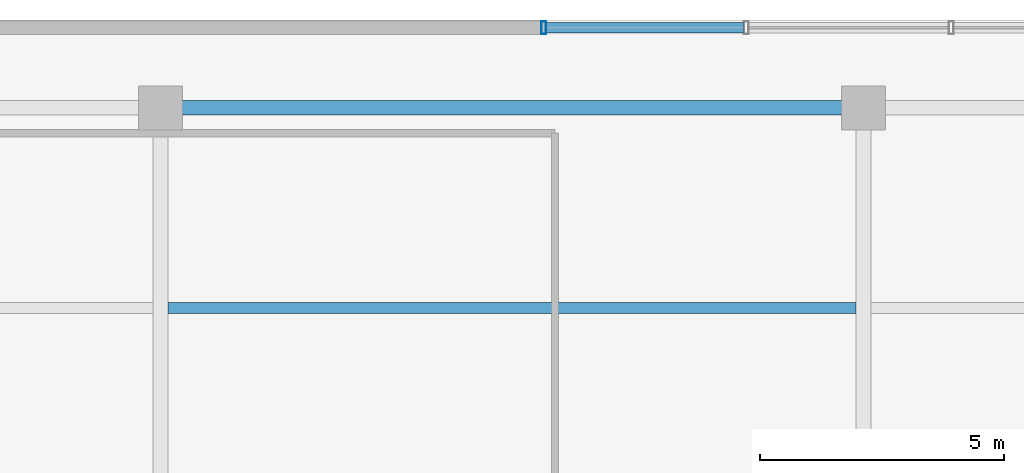
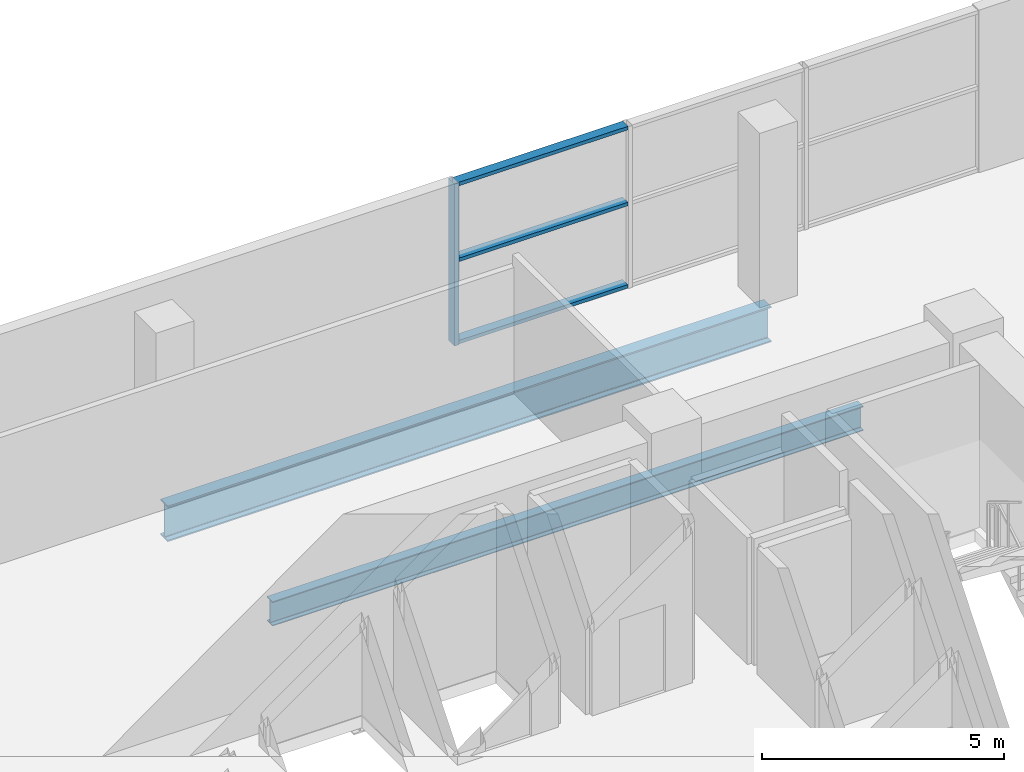
# One storey, part 9 of 23: 4 members, 2 beams, 1 element without a shape of its own.
"""IFC4 building model written with IfcOpenShell, lengths in metres."""

from ifc_helpers import new_model, si_unit, direction, frame, origin, origin_2d, place, context, subcontext, project, spatial, hollow_rectangle, i_section, extrude, source, transform, mapped, material, layer, layer_set, material_profile, profile_set, type_object, element, aggregate, save


model = new_model("IFC4")

# Units and contexts
model_context = context("Model", 3, precision=1e-05, world=origin(), true_north=direction((0.0, 1.0)))
body_context = subcontext(model_context, "Body", "Model", "MODEL_VIEW")
ifc_project = project(units=[si_unit("LENGTHUNIT", "METRE"), si_unit("AREAUNIT", "SQUARE_METRE"), si_unit("VOLUMEUNIT", "CUBIC_METRE"), si_unit("PLANEANGLEUNIT", "RADIAN"), si_unit("MASSUNIT", "GRAM", prefix="KILO")], contexts=[model_context])

# Site, building, storey
site_placement = place(None, origin())
site = spatial("IfcSite", under=ifc_project, at=site_placement, CompositionType="ELEMENT")
building_placement = place(site_placement, origin())
building = spatial("IfcBuilding", under=site, at=building_placement, Name="Zarnakvel Exchange Tower", CompositionType="ELEMENT")
storey_placement = place(building_placement, frame((0.0, 0.0, 13.800048828125)))
storey = spatial("IfcBuildingStorey", under=building, at=storey_placement, Name="L03", CompositionType="ELEMENT", Elevation=13.800048828125)

# Beams
ifc_material_1 = material(Name="Steel S355", Category="steel")
ifc_material_profile_1 = material_profile(ifc_material_1, i_section(OverallWidth=0.230224609375, OverallDepth=0.6171875, WebThickness=0.01318359375, FlangeThickness=0.022216796875, FilletRadius=0.0126953125, at=origin_2d()))
ifc_profile_set_1 = profile_set([ifc_material_profile_1], Name="Steel S355")
beam_type_1 = type_object("IfcBeamType", Name="B-02", PredefinedType="JOIST", material=ifc_profile_set_1)
beam_1_placement = place(storey_placement, frame((0.14990234375, 17.5, -0.608642578125), z_axis=(1.0, 0.0, 0.0), x_axis=(0.0, 1.0, 0.0)))
element("IfcBeam", 1, at=beam_1_placement, inside=storey, type_object=beam_type_1, Name="L03 North Bay Secondary Floor Joist", PredefinedType="JOIST", context=body_context, shape_type="SweptSolid", body=[
    extrude(i_section(OverallWidth=0.230224609375, OverallDepth=0.6171875, WebThickness=0.01318359375, FlangeThickness=0.022216796875, FilletRadius=0.0126953125, at=origin_2d()), origin(), (0.0, 0.0, 1.0), 14.10009765625),
])
ifc_material_profile_2 = material_profile(ifc_material_1, i_section(OverallWidth=0.300048828125, OverallDepth=0.89990234375, WebThickness=0.0185546875, FlangeThickness=0.034912109375, FilletRadius=0.030029296875, at=origin_2d()))
ifc_profile_set_2 = profile_set([ifc_material_profile_2], Name="Steel S355")
beam_type_2 = type_object("IfcBeamType", Name="G-01", PredefinedType="BEAM", material=ifc_profile_set_2)
beam_2_placement = place(storey_placement, frame((0.0, 21.60009765625, -0.75), z_axis=(1.0, 0.0, 0.0), x_axis=(0.0, 1.0, 0.0)))
element("IfcBeam", 2, at=beam_2_placement, inside=storey, type_object=beam_type_2, Name="L03 Primary E-W Girder Y=+21.6", PredefinedType="BEAM", context=body_context, shape_type="SweptSolid", body=[
    extrude(i_section(OverallWidth=0.300048828125, OverallDepth=0.89990234375, WebThickness=0.0185546875, FlangeThickness=0.034912109375, FilletRadius=0.030029296875, at=origin_2d()), origin(), (0.0, 0.0, 1.0), 14.39990234375),
])

# Curtain wall, members
ifc_material_2 = material(Name="Architectural Bronze Anodised Aluminium", Category="aluminium")
ifc_layer = layer(ifc_material_2, 0.260009765625)
ifc_layer_set = layer_set([ifc_layer], Name="Architectural Bronze Anodised Aluminium")
curtain_wall_type = type_object("IfcCurtainWallType", Name="CW-01", PredefinedType="NOTDEFINED", material=ifc_layer_set)
curtain_wall_placement = place(storey_placement, origin())
curtain_wall = element("IfcCurtainWall", 3, at=curtain_wall_placement, inside=storey, type_object=curtain_wall_type, Name="L03 Curtain Wall CW-L03-N2 (CW-01)", PredefinedType="NOTDEFINED")
ifc_material_profile_3 = material_profile(ifc_material_2, hollow_rectangle(XDim=0.219970703125, YDim=0.090087890625, WallThickness=0.0048828125, at=origin_2d()))
ifc_profile_set_3 = profile_set([ifc_material_profile_3], Name="Architectural Bronze Anodised Aluminium")
member_type_1 = type_object("IfcMemberType", Name="CWT-01", PredefinedType="USERDEFINED", material=ifc_profile_set_3)
shared_shape_1 = source(origin(), body_context, "Body", "SweptSolid", [
    extrude(hollow_rectangle(XDim=0.219970703125, YDim=0.090087890625, WallThickness=0.0048828125, at=origin_2d()), origin(), (0.0, 0.0, 1.0), 4.050048828125),
])
member_1_placement = place(storey_placement, frame((7.89990234375, 23.239990234375, 0.044921875), z_axis=(1.0, 0.0, 0.0), x_axis=(0.0, 1.0, 0.0)))
member_1 = element("IfcMember", 4, at=member_1_placement, type_object=member_type_1, Name="CW-01 transom 1.1", ObjectType="TRANSOM", PredefinedType="USERDEFINED", context=body_context, shape_type="MappedRepresentation", body=[
    mapped(shared_shape_1, transform((0.0, 0.0, 0.0), x_axis=(1.0, 0.0, 0.0), y_axis=(0.0, 1.0, 0.0), z_axis=(0.0, 0.0, 1.0), scale=1.0)),
])
member_2_placement = place(storey_placement, frame((7.89990234375, 23.239990234375, 2.12158203125), z_axis=(1.0, 0.0, 0.0), x_axis=(0.0, 1.0, 0.0)))
member_2 = element("IfcMember", 5, at=member_2_placement, type_object=member_type_1, Name="CW-01 transom 1.2", ObjectType="TRANSOM", PredefinedType="USERDEFINED", context=body_context, shape_type="MappedRepresentation", body=[
    mapped(shared_shape_1, transform((0.0, 0.0, 0.0), x_axis=(1.0, 0.0, 0.0), y_axis=(0.0, 1.0, 0.0), z_axis=(0.0, 0.0, 1.0), scale=1.0)),
])
member_3_placement = place(storey_placement, frame((7.89990234375, 23.239990234375, 4.034912109375), z_axis=(1.0, 0.0, 0.0), x_axis=(0.0, 1.0, 0.0)))
member_3 = element("IfcMember", 6, at=member_3_placement, type_object=member_type_1, Name="CW-01 transom 1.3", ObjectType="TRANSOM", PredefinedType="USERDEFINED", context=body_context, shape_type="MappedRepresentation", body=[
    mapped(shared_shape_1, transform((0.0, 0.0, 0.0), x_axis=(1.0, 0.0, 0.0), y_axis=(0.0, 1.0, 0.0), z_axis=(0.0, 0.0, 1.0), scale=1.0)),
])
ifc_material_profile_4 = material_profile(ifc_material_2, hollow_rectangle(XDim=0.260009765625, YDim=0.10009765625, WallThickness=0.006103515625, at=origin_2d()))
ifc_profile_set_4 = profile_set([ifc_material_profile_4], Name="Architectural Bronze Anodised Aluminium")
member_type_2 = type_object("IfcMemberType", Name="CWM-01", PredefinedType="MULLION", material=ifc_profile_set_4)
shared_shape_2 = source(origin(), body_context, "Body", "SweptSolid", [
    extrude(hollow_rectangle(XDim=0.260009765625, YDim=0.10009765625, WallThickness=0.006103515625, at=origin_2d()), origin(), (0.0, 0.0, 1.0), 4.079833984375),
])
member_4_placement = place(storey_placement, frame((7.85009765625, 23.239990234375, 0.0), z_axis=(0.0, 0.0, 1.0), x_axis=(0.0, 1.0, 0.0)))
member_4 = element("IfcMember", 7, at=member_4_placement, type_object=member_type_2, Name="CW-01 mullion 1", PredefinedType="MULLION", context=body_context, shape_type="MappedRepresentation", body=[
    mapped(shared_shape_2, transform((0.0, 0.0, 0.0), x_axis=(1.0, 0.0, 0.0), y_axis=(0.0, 1.0, 0.0), z_axis=(0.0, 0.0, 1.0), scale=1.0)),
])
aggregate(curtain_wall, [member_4, member_1, member_2, member_3])

save(model, "model.ifc")
